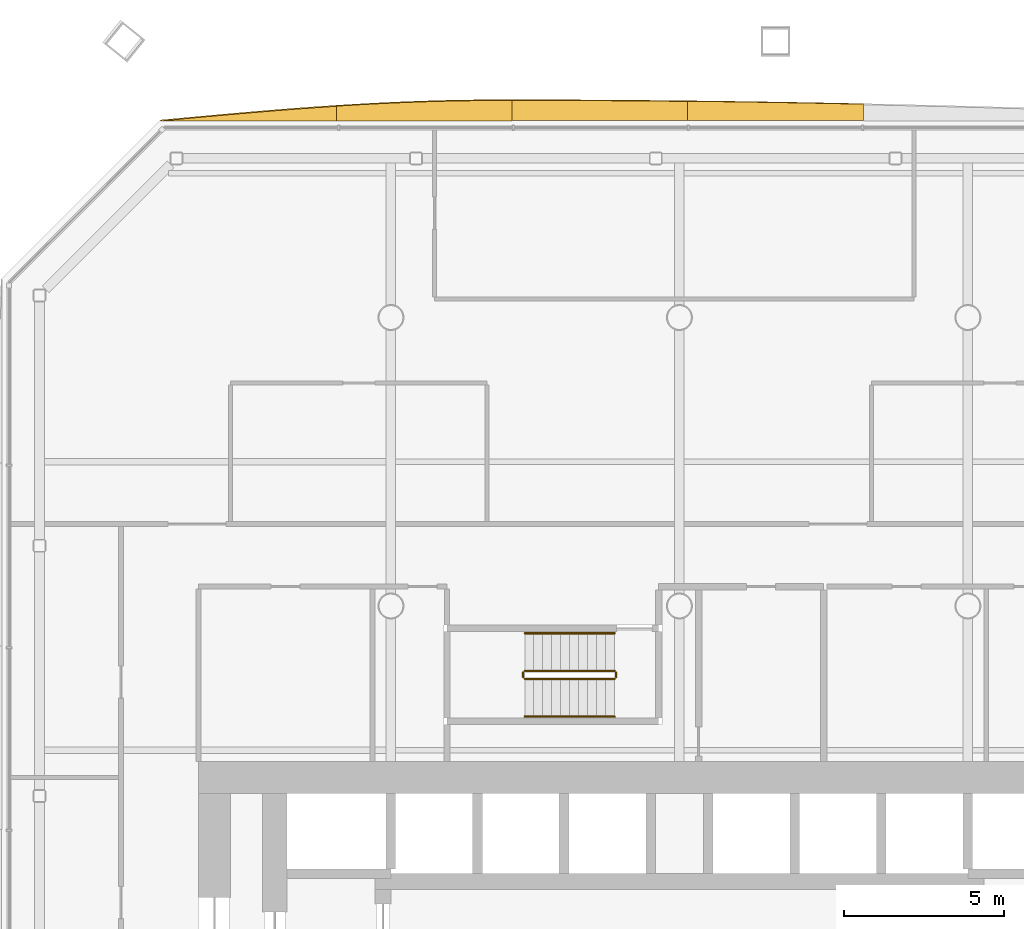
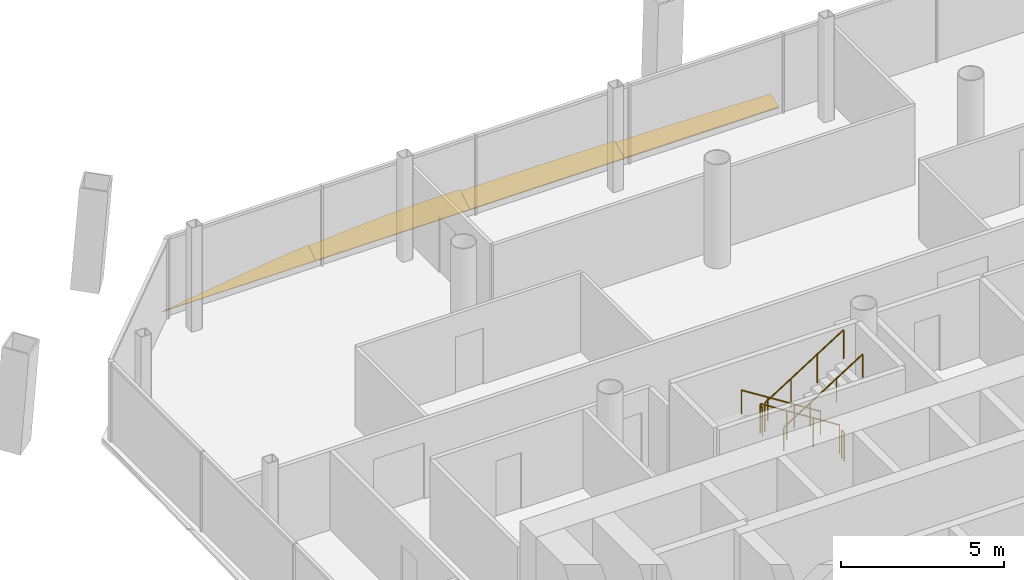
# One storey, part 18 of 19: 6 railings, 4 shading devices.
"""IFC4 building model written with IfcOpenShell, lengths in metres."""

from ifc_helpers import new_model, si_unit, direction, frame, origin, origin_2d, place, context, subcontext, project, spatial, polyline, circle, outline, extrude, material, layer, layer_set, type_object, element, save


model = new_model("IFC4")

# Units and contexts
model_context = context("Model", 3, precision=1e-05, world=origin(), true_north=direction((0.0, 1.0)))
body_context = subcontext(model_context, "Body", "Model", "MODEL_VIEW")
ifc_project = project(units=[si_unit("LENGTHUNIT", "METRE"), si_unit("AREAUNIT", "SQUARE_METRE"), si_unit("VOLUMEUNIT", "CUBIC_METRE"), si_unit("PLANEANGLEUNIT", "RADIAN"), si_unit("MASSUNIT", "GRAM", prefix="KILO")], contexts=[model_context])

# Site, building, storey
site_placement = place(None, origin())
site = spatial("IfcSite", under=ifc_project, at=site_placement, CompositionType="ELEMENT")
building_placement = place(site_placement, origin())
building = spatial("IfcBuilding", under=site, at=building_placement, Name="Tskaro Facet Tower", CompositionType="ELEMENT")
storey_placement = place(building_placement, frame((0.0, 0.0, 105.0)))
storey = spatial("IfcBuildingStorey", under=building, at=storey_placement, Name="L25", CompositionType="ELEMENT", Elevation=105.0)

# Shading devices
ifc_material_1 = material(Name="Bronze anodised aluminium 6063-T6", Category="aluminium")
ifc_layer = layer(ifc_material_1, 0.06005859375, Name="Bronze anodised aluminium 6063-T6")
ifc_layer_set = layer_set([ifc_layer], Name="Bronze anodised aluminium 6063-T6")
shading_device_type = type_object("IfcShadingDeviceType", Name="Bronze sun blade (FN1)", PredefinedType="USERDEFINED", material=ifc_layer_set)
shading_device_1_placement = place(storey_placement, frame((5.740966796875, 24.14453125, 0.056396484375), z_axis=(-1.542334e-06, -0.341961060518, 0.939714123065), x_axis=(-0.999999999999, 5.27418e-07, -1.449353e-06)))
element("IfcShadingDevice", 1, at=shading_device_1_placement, inside=storey, type_object=shading_device_type, Name="Fin blade north 4", ObjectType="FIN", PredefinedType="USERDEFINED", context=body_context, shape_type="SweptSolid", body=[
    extrude(outline(polyline([(0.0, 0.0), (5.48193359374348, 5.804222960708026e-22), (5.481933593714967, -0.6396419143584549), (4.796630859434032, -0.6305268049604963), (4.111572265391804, -0.6207234283825579), (3.426269531399823, -0.6099813248635179), (2.74096679676402, -0.598092109377845), (2.0556640625783804, -0.5855770759314376), (1.3703613282315303, -0.5720608663246832), (0.685302734348469, -0.5575434805575818), (-6.327452704325577e-11, -0.5424837634167867), (0.0, 0.0)])), origin(), (0.0, 0.0, -1.0), 0.06005859375),
])
shading_device_2_placement = place(storey_placement, frame((0.259033203125, 24.1396484375, 0.054443359375), z_axis=(-6.899146e-06, -0.422547473546, 0.906340792722), x_axis=(-0.999999999976, 2.915217e-06, -6.252977e-06)))
element("IfcShadingDevice", 2, at=shading_device_2_placement, inside=storey, type_object=shading_device_type, Name="Fin blade north 5", ObjectType="FIN", PredefinedType="USERDEFINED", context=body_context, shape_type="SweptSolid", body=[
    extrude(outline(polyline([(0.0, 0.0), (5.4819335936195355, -2.3216891842832104e-21), (5.481933593852635, -0.7003451169638002), (4.796875000325258, -0.6992536965248141), (4.111572264852603, -0.697174016651128), (3.4262695318245964, -0.6941210299417732), (2.7409667974763043, -0.6900797837977182), (2.0556640626226095, -0.6847258426070737), (1.3706054677853465, -0.6786049165893328), (0.6853027340560156, -0.6712894091283195), (-2.8187823633313386e-10, -0.6632069168402097), (0.0, 0.0)])), origin(), (0.0, 0.0, -1.0), 0.06005859375),
])
shading_device_3_placement = place(storey_placement, frame((-5.222900390625, 24.135009765625, 0.052001953125), z_axis=(-4.963486e-06, -0.499943284504, 0.866058146001), x_axis=(-0.999999999988, 2.481462e-06, -4.298668e-06)))
element("IfcShadingDevice", 3, at=shading_device_3_placement, inside=storey, type_object=shading_device_type, Name="Fin blade north 6", ObjectType="FIN", PredefinedType="USERDEFINED", context=body_context, shape_type="SweptSolid", body=[
    extrude(outline(polyline([(0.0, 0.0), (5.48217773430747, 0.0), (5.482177734412239, -0.5293934859909555), (4.79687500034922, -0.5778447521727219), (4.111572265551791, -0.6201796612679701), (3.4262695316752563, -0.6564875967878088), (2.741210936921312, -0.6859227988240233), (2.0559082027447473, -0.7084525944217777), (1.3706054691647345, -0.7238655436040182), (0.6853027339201423, -0.7318608228825827), (0.2961425779992796, -0.7329506957226869), (-1.220724867555589e-10, -0.7329506957226869), (0.0, 0.0)])), origin(), (0.0, 0.0, -1.0), 0.06005859375),
])
shading_device_4_placement = place(storey_placement, frame((-10.705078125, 24.130615234375, 0.049072265625), z_axis=(1.2309689e-05, -0.573676891545, 0.819081695532), x_axis=(-0.999999999924, -7.061784e-06, 1.0082641e-05)))
element("IfcShadingDevice", 4, at=shading_device_4_placement, inside=storey, type_object=shading_device_type, Name="Fin blade north 7", ObjectType="FIN", PredefinedType="USERDEFINED", context=body_context, shape_type="SweptSolid", body=[
    extrude(outline(polyline([(0.0, 0.0), (5.481933593334666, -4.643378368566421e-21), (4.796630860236806, -0.0781630742914908), (4.111328124926403, -0.15530606172713496), (3.4262695314765774, -0.2310290200727556), (2.7409667964248237, -0.30431186247250613), (2.055664061382678, -0.3746145888573493), (1.3703613265991816, -0.4410571702062988), (0.6850585947849563, -0.502899635333229), (-8.197624726032641e-10, -0.5597218107335585), (0.0, 0.0)])), origin(), (0.0, 0.0, -1.0), 0.06005859375),
])

# Railings
ifc_material_2 = material(Name="Stainless steel", Category="steel")
railing_type_1 = type_object("IfcRailingType", Name="RL-GUARD-1100", PredefinedType="GUARDRAIL", material=ifc_material_2)
railing_1_placement = place(storey_placement, frame((-2.02490234375, 6.97509765625, 0.17724609375)))
element("IfcRailing", 5, at=railing_1_placement, inside=storey, type_object=railing_type_1, Name="L25 ST-3 stair guard 1", PredefinedType="GUARDRAIL", context=body_context, shape_type="SweptSolid", body=[
    extrude(circle(Radius=0.02392578125, at=origin_2d()), frame((0.0, 0.0, 1.076171875), z_axis=(-0.844908973607, 0.0, 0.534910110503), x_axis=(0.0, -1.0, 0.0)), (0.0, 0.0, 1.0), 3.31396484375),
    extrude(circle(Radius=0.02099609375, at=origin_2d()), origin(), (0.0, 0.0, 1.0), 1.052001953125),
    extrude(circle(Radius=0.02099609375, at=origin_2d()), frame((-0.933349609375, 0.0, 0.5908203125)), (0.0, 0.0, 1.0), 1.052001953125),
    extrude(circle(Radius=0.02099609375, at=origin_2d()), frame((-1.86669921875, 0.0, 1.181884765625)), (0.0, 0.0, 1.0), 1.052001953125),
    extrude(circle(Radius=0.02099609375, at=origin_2d()), frame((-2.800048828125, 0.0, 1.772705078125)), (0.0, 0.0, 1.0), 1.052001953125),
])
railing_2_placement = place(storey_placement, frame((-4.875, 6.925048828125, 1.949951171875)))
element("IfcRailing", 6, at=railing_2_placement, inside=storey, type_object=railing_type_1, Name="L25 ST-3 stair guard 2", PredefinedType="GUARDRAIL", context=body_context, shape_type="SweptSolid", body=[
    extrude(circle(Radius=0.02392578125, at=origin_2d()), frame((0.0, 0.0, 1.076171875), z_axis=(0.0, -1.0, 0.0), x_axis=(1.0, 0.0, 0.0)), (0.0, 0.0, 1.0), 0.150146484375),
    extrude(circle(Radius=0.02099609375, at=origin_2d()), origin(), (0.0, 0.0, 1.0), 1.052001953125),
    extrude(circle(Radius=0.02099609375, at=origin_2d()), frame((0.0, -0.150146484375, 0.0)), (0.0, 0.0, 1.0), 1.052001953125),
])
railing_3_placement = place(storey_placement, frame((-4.824951171875, 6.72509765625, 2.127197265625)))
element("IfcRailing", 7, at=railing_3_placement, inside=storey, type_object=railing_type_1, Name="L25 ST-3 stair guard 3", PredefinedType="GUARDRAIL", context=body_context, shape_type="SweptSolid", body=[
    extrude(circle(Radius=0.02392578125, at=origin_2d()), frame((0.0, 0.0, 1.076171875), z_axis=(0.844908973607, 0.0, 0.534910110503), x_axis=(0.0, 1.0, 0.0)), (0.0, 0.0, 1.0), 3.31396484375),
    extrude(circle(Radius=0.02099609375, at=origin_2d()), origin(), (0.0, 0.0, 1.0), 1.052001953125),
    extrude(circle(Radius=0.02099609375, at=origin_2d()), frame((0.933349609375, 0.0, 0.5908203125)), (0.0, 0.0, 1.0), 1.052001953125),
    extrude(circle(Radius=0.02099609375, at=origin_2d()), frame((1.86669921875, 0.0, 1.181884765625)), (0.0, 0.0, 1.0), 1.052001953125),
    extrude(circle(Radius=0.02099609375, at=origin_2d()), frame((2.800048828125, 0.0, 1.772705078125)), (0.0, 0.0, 1.0), 1.052001953125),
])
railing_4_placement = place(storey_placement, frame((-1.97509765625, 6.925048828125, 0.0)))
element("IfcRailing", 8, at=railing_4_placement, inside=storey, type_object=railing_type_1, Name="L25 ST-3 stair guard 4", PredefinedType="GUARDRAIL", context=body_context, shape_type="SweptSolid", body=[
    extrude(circle(Radius=0.02392578125, at=origin_2d()), frame((0.0, 0.0, 1.076171875), z_axis=(0.0, -1.0, 0.0), x_axis=(1.0, 0.0, 0.0)), (0.0, 0.0, 1.0), 0.150146484375),
    extrude(circle(Radius=0.02099609375, at=origin_2d()), origin(), (0.0, 0.0, 1.0), 1.052001953125),
    extrude(circle(Radius=0.02099609375, at=origin_2d()), frame((0.0, -0.150146484375, 0.0)), (0.0, 0.0, 1.0), 1.052001953125),
])
railing_type_2 = type_object("IfcRailingType", Name="RL-HANDRAIL-900", PredefinedType="HANDRAIL", material=ifc_material_2)
railing_5_placement = place(storey_placement, frame((-2.02490234375, 8.14990234375, 0.17724609375)))
element("IfcRailing", 9, at=railing_5_placement, inside=storey, type_object=railing_type_2, Name="L25 ST-3 stair handrail 1", PredefinedType="HANDRAIL", context=body_context, shape_type="SweptSolid", body=[
    extrude(circle(Radius=0.02392578125, at=origin_2d()), frame((0.0, 0.0, 0.8759765625), z_axis=(-0.844908973607, 0.0, 0.534910110503), x_axis=(0.0, -1.0, 0.0)), (0.0, 0.0, 1.0), 3.31396484375),
    extrude(circle(Radius=0.02099609375, at=origin_2d()), origin(), (0.0, 0.0, 1.0), 0.851806640625),
    extrude(circle(Radius=0.02099609375, at=origin_2d()), frame((-0.933349609375, 0.0, 0.5908203125)), (0.0, 0.0, 1.0), 0.851806640625),
    extrude(circle(Radius=0.02099609375, at=origin_2d()), frame((-1.86669921875, 0.0, 1.181884765625)), (0.0, 0.0, 1.0), 0.851806640625),
    extrude(circle(Radius=0.02099609375, at=origin_2d()), frame((-2.800048828125, 0.0, 1.772705078125)), (0.0, 0.0, 1.0), 0.851806640625),
])
railing_6_placement = place(storey_placement, frame((-4.824951171875, 5.550048828125, 2.127197265625)))
element("IfcRailing", 10, at=railing_6_placement, inside=storey, type_object=railing_type_2, Name="L25 ST-3 stair handrail 2", PredefinedType="HANDRAIL", context=body_context, shape_type="SweptSolid", body=[
    extrude(circle(Radius=0.02392578125, at=origin_2d()), frame((0.0, 0.0, 0.8759765625), z_axis=(0.844908973607, 0.0, 0.534910110503), x_axis=(0.0, 1.0, 0.0)), (0.0, 0.0, 1.0), 3.31396484375),
    extrude(circle(Radius=0.02099609375, at=origin_2d()), origin(), (0.0, 0.0, 1.0), 0.851806640625),
    extrude(circle(Radius=0.02099609375, at=origin_2d()), frame((0.933349609375, 0.0, 0.5908203125)), (0.0, 0.0, 1.0), 0.851806640625),
    extrude(circle(Radius=0.02099609375, at=origin_2d()), frame((1.86669921875, 0.0, 1.181884765625)), (0.0, 0.0, 1.0), 0.851806640625),
    extrude(circle(Radius=0.02099609375, at=origin_2d()), frame((2.800048828125, 0.0, 1.772705078125)), (0.0, 0.0, 1.0), 0.851806640625),
])

save(model, "model.ifc")
